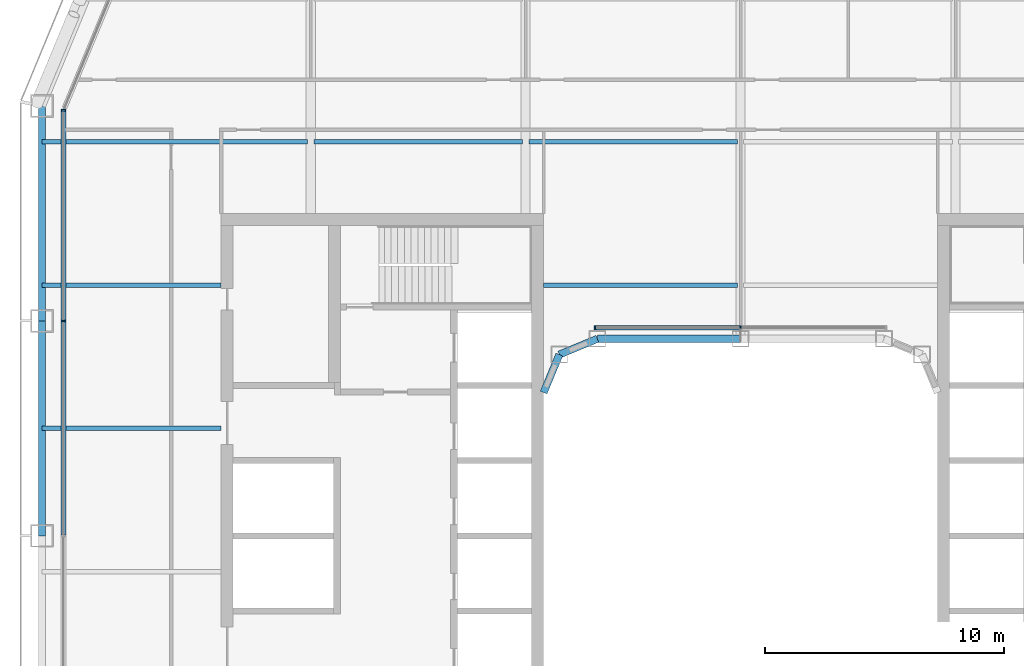
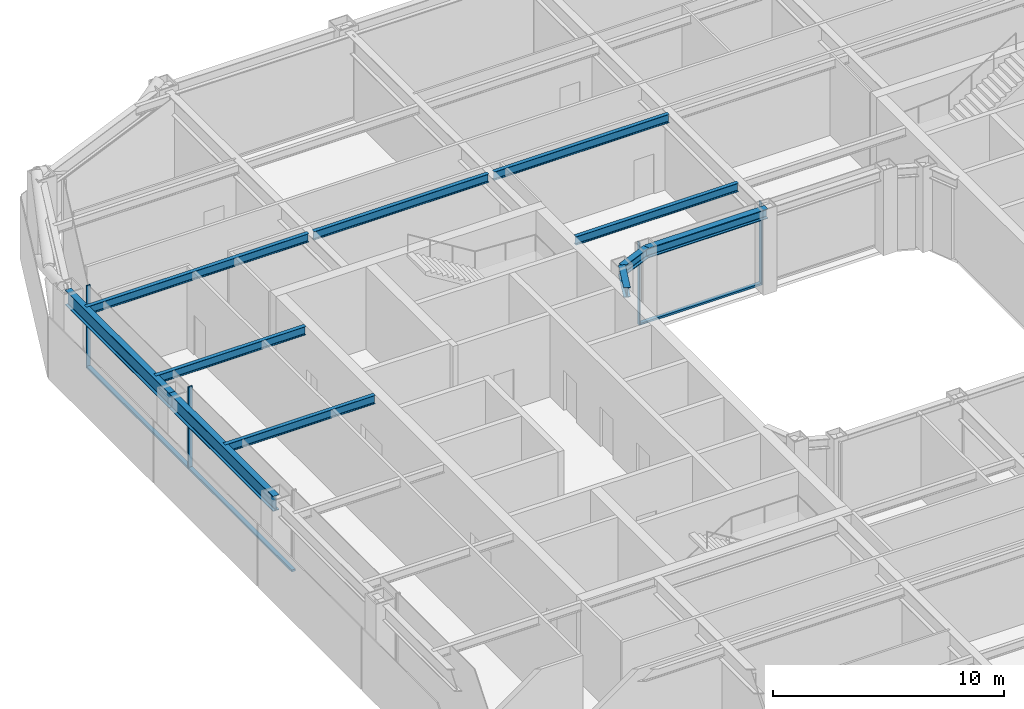
# One storey, part 6 of 24: 11 beams, 7 members, 2 elements without a shape of their own.
"""IFC4 building model written with IfcOpenShell, lengths in metres."""

from ifc_helpers import new_model, si_unit, direction, frame, origin, origin_2d, place, context, subcontext, project, spatial, rectangle, i_section, extrude, material, layer, layer_set, material_profile, profile_set, type_object, element, aggregate, save


model = new_model("IFC4")

# Units and contexts
model_context = context("Model", 3, precision=1e-05, world=origin(), true_north=direction((0.0, 1.0)))
body_context = subcontext(model_context, "Body", "Model", "MODEL_VIEW")
ifc_project = project(units=[si_unit("LENGTHUNIT", "METRE"), si_unit("AREAUNIT", "SQUARE_METRE"), si_unit("VOLUMEUNIT", "CUBIC_METRE"), si_unit("PLANEANGLEUNIT", "RADIAN"), si_unit("MASSUNIT", "GRAM", prefix="KILO")], contexts=[model_context])

# Site, building, storey
site_placement = place(None, origin())
site = spatial("IfcSite", under=ifc_project, at=site_placement, CompositionType="ELEMENT")
building_placement = place(site_placement, origin())
building = spatial("IfcBuilding", under=site, at=building_placement, Name="Siwar Civic Tower", CompositionType="ELEMENT")
storey_placement = place(building_placement, frame((0.0, 0.0, 113.699951171875)))
storey = spatial("IfcBuildingStorey", under=building, at=storey_placement, Name="L24", CompositionType="ELEMENT", Elevation=113.699951171875)

# Curtain wall, members
ifc_material_1 = material(Name="Aluminium and glass", Category="aluminium")
ifc_layer_1 = layer(ifc_material_1, 0.199951171875)
ifc_layer_set_1 = layer_set([ifc_layer_1], Name="Aluminium and glass")
curtain_wall_type_1 = type_object("IfcCurtainWallType", Name="ENV-CW-B", PredefinedType="NOTDEFINED", material=ifc_layer_set_1)
curtain_wall_1_placement = place(storey_placement, origin())
curtain_wall_1 = element("IfcCurtainWall", 1, at=curtain_wall_1_placement, inside=storey, type_object=curtain_wall_type_1, Name="Curtain wall B W", PredefinedType="NOTDEFINED")
ifc_material_2 = material(Name="Aluminium 6063-T6", Category="aluminium")
ifc_material_profile_1 = material_profile(ifc_material_2, rectangle(XDim=0.199951171875, YDim=0.06494140625, at=origin_2d()), Name="AL 200x65")
ifc_profile_set_1 = profile_set([ifc_material_profile_1], Name="Aluminium 6063-T6")
member_type_1 = type_object("IfcMemberType", Name="ENV-MULLION-B", PredefinedType="MULLION", material=ifc_profile_set_1)
member_1_placement = place(storey_placement, frame((-28.35009765625, 17.821044921875, 0.0), z_axis=(0.0, 0.0, 1.0), x_axis=(1.0, 0.0, 0.0)))
member_1 = element("IfcMember", 2, at=member_1_placement, type_object=member_type_1, Name="Mullion B W 1", PredefinedType="MULLION", context=body_context, shape_type="SweptSolid", body=[
    extrude(rectangle(XDim=0.199951171875, YDim=0.06494140625, at=origin_2d()), origin(), (0.0, 0.0, 1.0), 4.35009765625),
])
member_2_placement = place(storey_placement, frame((-28.35009765625, 9.0, 0.0), z_axis=(0.0, 0.0, 1.0), x_axis=(1.0, 0.0, 0.0)))
member_2 = element("IfcMember", 3, at=member_2_placement, type_object=member_type_1, Name="Mullion B W 2", PredefinedType="MULLION", context=body_context, shape_type="SweptSolid", body=[
    extrude(rectangle(XDim=0.199951171875, YDim=0.06494140625, at=origin_2d()), origin(), (0.0, 0.0, 1.0), 4.35009765625),
])

ifc_material_3 = material(Name="Aluminium and glass", Category="aluminium")
ifc_layer_2 = layer(ifc_material_3, 0.179931640625)
ifc_layer_set_2 = layer_set([ifc_layer_2], Name="Aluminium and glass")
curtain_wall_type_2 = type_object("IfcCurtainWallType", Name="ENV-CW-W", PredefinedType="NOTDEFINED", material=ifc_layer_set_2)
curtain_wall_2_placement = place(storey_placement, origin())
curtain_wall_2 = element("IfcCurtainWall", 4, at=curtain_wall_2_placement, inside=storey, type_object=curtain_wall_type_2, Name="Curtain wall W WN", PredefinedType="NOTDEFINED")
ifc_material_4 = material(Name="Aluminium 6063-T6", Category="aluminium")
ifc_material_profile_2 = material_profile(ifc_material_4, rectangle(XDim=0.179931640625, YDim=0.06005859375, at=origin_2d()), Name="AL 180x60")
ifc_profile_set_2 = profile_set([ifc_material_profile_2], Name="Aluminium 6063-T6")
member_type_2 = type_object("IfcMemberType", Name="ENV-MULLION-W", PredefinedType="MULLION", material=ifc_profile_set_2)
member_3_placement = place(storey_placement, frame((0.0, 8.7099609375, 0.0), z_axis=(0.0, 0.0, 1.0), x_axis=(0.0, -1.0, 0.0)))
member_3 = element("IfcMember", 5, at=member_3_placement, type_object=member_type_2, Name="Mullion W WN 2", PredefinedType="MULLION", context=body_context, shape_type="SweptSolid", body=[
    extrude(rectangle(XDim=0.179931640625, YDim=0.06005859375, at=origin_2d()), origin(), (0.0, 0.0, 1.0), 4.35009765625),
])
member_4_placement = place(storey_placement, frame((-6.091552734375, 8.7099609375, 0.0), z_axis=(0.0, 0.0, 1.0), x_axis=(0.0, -1.0, 0.0)))
member_4 = element("IfcMember", 6, at=member_4_placement, type_object=member_type_2, Name="Mullion W WN 3", PredefinedType="MULLION", context=body_context, shape_type="SweptSolid", body=[
    extrude(rectangle(XDim=0.179931640625, YDim=0.06005859375, at=origin_2d()), origin(), (0.0, 0.0, 1.0), 4.35009765625),
])

# Member
ifc_material_5 = material(Name="Aluminium 6063-T6", Category="aluminium")
ifc_material_profile_3 = material_profile(ifc_material_5, rectangle(XDim=0.199951171875, YDim=0.110107421875, at=origin_2d()), Name="AL 200x110")
ifc_profile_set_3 = profile_set([ifc_material_profile_3], Name="Aluminium 6063-T6")
member_type_3 = type_object("IfcMemberType", Name="ENV-TRANSOM-B", PredefinedType="USERDEFINED", material=ifc_profile_set_3)
member_5_placement = place(storey_placement, frame((-28.35009765625, 17.78857421875, 0.054931640625), z_axis=(0.0, -1.0, 0.0), x_axis=(1.0, 0.0, 0.0)))
member_5 = element("IfcMember", 7, at=member_5_placement, type_object=member_type_3, Name="Transom B W 1", ObjectType="TRANSOM", PredefinedType="USERDEFINED", context=body_context, shape_type="SweptSolid", body=[
    extrude(rectangle(XDim=0.199951171875, YDim=0.110107421875, at=origin_2d()), origin(), (0.0, 0.0, 1.0), 8.756103515625),
])

member_6_placement = place(storey_placement, frame((-28.35009765625, 8.967529296875, 0.054931640625), z_axis=(0.0, -1.0, 0.0), x_axis=(1.0, 0.0, 0.0)))
member_6 = element("IfcMember", 8, at=member_6_placement, type_object=member_type_3, Name="Transom B W 2", ObjectType="TRANSOM", PredefinedType="USERDEFINED", context=body_context, shape_type="SweptSolid", body=[
    extrude(rectangle(XDim=0.199951171875, YDim=0.110107421875, at=origin_2d()), origin(), (0.0, 0.0, 1.0), 8.93505859375),
])

aggregate(curtain_wall_1, [member_1, member_2, member_5, member_6])

ifc_material_6 = material(Name="Aluminium 6063-T6", Category="aluminium")
ifc_material_profile_4 = material_profile(ifc_material_6, rectangle(XDim=0.179931640625, YDim=0.10009765625, at=origin_2d()), Name="AL 180x100")
ifc_profile_set_4 = profile_set([ifc_material_profile_4], Name="Aluminium 6063-T6")
member_type_4 = type_object("IfcMemberType", Name="ENV-TRANSOM-W", PredefinedType="USERDEFINED", material=ifc_profile_set_4)
member_7_placement = place(storey_placement, frame((-0.030029296875, 8.7099609375, 0.050048828125), z_axis=(-1.0, 0.0, 0.0), x_axis=(0.0, -1.0, 0.0)))
member_7 = element("IfcMember", 9, at=member_7_placement, type_object=member_type_4, Name="Transom W WN 2", ObjectType="TRANSOM", PredefinedType="USERDEFINED", context=body_context, shape_type="SweptSolid", body=[
    extrude(rectangle(XDim=0.179931640625, YDim=0.10009765625, at=origin_2d()), origin(), (0.0, 0.0, 1.0), 6.031494140625),
])

aggregate(curtain_wall_2, [member_3, member_4, member_7])

# Beams
ifc_material_7 = material(Name="Steel S355", Category="steel")
ifc_material_profile_5 = material_profile(ifc_material_7, i_section(OverallWidth=0.18994140625, OverallDepth=0.449951171875, WebThickness=0.009521484375, FlangeThickness=0.0146484375, FilletRadius=0.02099609375, at=origin_2d()), Name="IPE450")
ifc_profile_set_5 = profile_set([ifc_material_profile_5], Name="Steel S355")
beam_type_1 = type_object("IfcBeamType", Name="STR-FB-IPE450", PredefinedType="JOIST", material=ifc_profile_set_5)
for number, where, z_axis, x_axis, name in (
    (10, (-29.25, 4.5, 4.125), (1.0, 0.0, 0.0), (0.0, 1.0, 0.0), "L24/bm/F025"),
    (11, (-29.25, 10.5, 4.125), (1.0, 0.0, 0.0), (0.0, 1.0, 0.0), "L24/bm/F027"),
):
    element("IfcBeam", number, at=place(storey_placement, frame(where, z_axis=z_axis, x_axis=x_axis)), inside=storey, type_object=beam_type_1, Name=name, PredefinedType="JOIST", context=body_context, shape_type="SweptSolid", body=[
        extrude(i_section(OverallWidth=0.18994140625, OverallDepth=0.449951171875, WebThickness=0.009521484375, FlangeThickness=0.0146484375, FilletRadius=0.02099609375, at=origin_2d()), origin(), (0.0, 0.0, 1.0), 7.5),
    ])
beam_1_placement = place(storey_placement, frame((-8.25, 10.5, 4.125), z_axis=(1.0, 0.0, 0.0), x_axis=(0.0, 1.0, 0.0)))
element("IfcBeam", 12, at=beam_1_placement, inside=storey, type_object=beam_type_1, Name="L24/bm/F028", PredefinedType="JOIST", context=body_context, shape_type="SweptSolid", body=[
    extrude(i_section(OverallWidth=0.18994140625, OverallDepth=0.449951171875, WebThickness=0.009521484375, FlangeThickness=0.0146484375, FilletRadius=0.02099609375, at=origin_2d()), origin(), (0.0, 0.0, 1.0), 8.1201171875),
])
beam_2_placement = place(storey_placement, frame((-29.25, 16.5, 4.125), z_axis=(1.0, 0.0, 0.0), x_axis=(0.0, 1.0, 0.0)))
element("IfcBeam", 13, at=beam_2_placement, inside=storey, type_object=beam_type_1, Name="L24/bm/F031", PredefinedType="JOIST", context=body_context, shape_type="SweptSolid", body=[
    extrude(i_section(OverallWidth=0.18994140625, OverallDepth=0.449951171875, WebThickness=0.009521484375, FlangeThickness=0.0146484375, FilletRadius=0.02099609375, at=origin_2d()), origin(), (0.0, 0.0, 1.0), 11.1201171875),
])
for number, where, z_axis, x_axis, name in (
    (14, (-17.8701171875, 16.5, 4.125), (1.0, 0.0, 0.0), (0.0, 1.0, 0.0), "L24/bm/F032"),
    (15, (-8.8701171875, 16.5, 4.125), (1.0, 0.0, 0.0), (0.0, 1.0, 0.0), "L24/bm/F033"),
):
    element("IfcBeam", number, at=place(storey_placement, frame(where, z_axis=z_axis, x_axis=x_axis)), inside=storey, type_object=beam_type_1, Name=name, PredefinedType="JOIST", context=body_context, shape_type="SweptSolid", body=[
        extrude(i_section(OverallWidth=0.18994140625, OverallDepth=0.449951171875, WebThickness=0.009521484375, FlangeThickness=0.0146484375, FilletRadius=0.02099609375, at=origin_2d()), origin(), (0.0, 0.0, 1.0), 8.740234375),
    ])
ifc_material_8 = material(Name="Steel S355", Category="steel")
ifc_material_profile_6 = material_profile(ifc_material_8, i_section(OverallWidth=0.305908203125, OverallDepth=0.52392578125, WebThickness=0.02099609375, FlangeThickness=0.0400390625, FilletRadius=0.027099609375, at=origin_2d()), Name="HEM500")
ifc_profile_set_6 = profile_set([ifc_material_profile_6], Name="Steel S355")
beam_type_2 = type_object("IfcBeamType", Name="STR-RB-HEM500", PredefinedType="BEAM", material=ifc_profile_set_6)
beam_3_placement = place(storey_placement, frame((-7.591064453125, 7.591064453125, 4.088134765625), z_axis=(0.923901072997, 0.382631424892, 0.0), x_axis=(-0.382631424892, 0.923901072997, 0.0)))
element("IfcBeam", 16, at=beam_3_placement, inside=storey, type_object=beam_type_2, Name="L24/bm/RN0", PredefinedType="BEAM", context=body_context, shape_type="SweptSolid", body=[
    extrude(i_section(OverallWidth=0.305908203125, OverallDepth=0.52392578125, WebThickness=0.02099609375, FlangeThickness=0.0400390625, FilletRadius=0.027099609375, at=origin_2d()), origin(), (0.0, 0.0, 1.0), 1.72216796875),
])
beam_4_placement = place(storey_placement, frame((-6.0, 8.25, 4.088134765625), z_axis=(1.0, 0.0, 0.0), x_axis=(0.0, 1.0, 0.0)))
element("IfcBeam", 17, at=beam_4_placement, inside=storey, type_object=beam_type_2, Name="L24/bm/RN1", PredefinedType="BEAM", context=body_context, shape_type="SweptSolid", body=[
    extrude(i_section(OverallWidth=0.305908203125, OverallDepth=0.52392578125, WebThickness=0.02099609375, FlangeThickness=0.0400390625, FilletRadius=0.027099609375, at=origin_2d()), origin(), (0.0, 0.0, 1.0), 6.0),
])
beam_5_placement = place(storey_placement, frame((-7.591064453125, 7.591064453125, 4.088134765625), z_axis=(-0.382631424892, -0.923901072997, 0.0), x_axis=(0.923901072997, -0.382631424892, 0.0)))
element("IfcBeam", 18, at=beam_5_placement, inside=storey, type_object=beam_type_2, Name="L24/bm/RNEW", PredefinedType="BEAM", context=body_context, shape_type="SweptSolid", body=[
    extrude(i_section(OverallWidth=0.305908203125, OverallDepth=0.52392578125, WebThickness=0.02099609375, FlangeThickness=0.0400390625, FilletRadius=0.027099609375, at=origin_2d()), origin(), (0.0, 0.0, 1.0), 1.72216796875),
])
ifc_material_9 = material(Name="Steel S355", Category="steel")
ifc_material_profile_7 = material_profile(ifc_material_9, i_section(OverallWidth=0.300048828125, OverallDepth=0.800048828125, WebThickness=0.017578125, FlangeThickness=0.032958984375, FilletRadius=0.030029296875, at=origin_2d()), Name="HEB800")
ifc_profile_set_7 = profile_set([ifc_material_profile_7], Name="Steel S355")
beam_type_3 = type_object("IfcBeamType", Name="STR-SB-HEB800", PredefinedType="BEAM", material=ifc_profile_set_7)
for number, where, z_axis, x_axis, name in (
    (19, (-29.25, 18.0, 3.949951171875), (0.0, -1.0, 0.0), (1.0, 0.0, 0.0), "L24/bm/SW-0"),
    (20, (-29.25, 9.0, 3.949951171875), (0.0, -1.0, 0.0), (1.0, 0.0, 0.0), "L24/bm/SW-1"),
):
    element("IfcBeam", number, at=place(storey_placement, frame(where, z_axis=z_axis, x_axis=x_axis)), inside=storey, type_object=beam_type_3, Name=name, PredefinedType="BEAM", context=body_context, shape_type="SweptSolid", body=[
        extrude(i_section(OverallWidth=0.300048828125, OverallDepth=0.800048828125, WebThickness=0.017578125, FlangeThickness=0.032958984375, FilletRadius=0.030029296875, at=origin_2d()), origin(), (0.0, 0.0, 1.0), 9.0),
    ])

save(model, "model.ifc")
